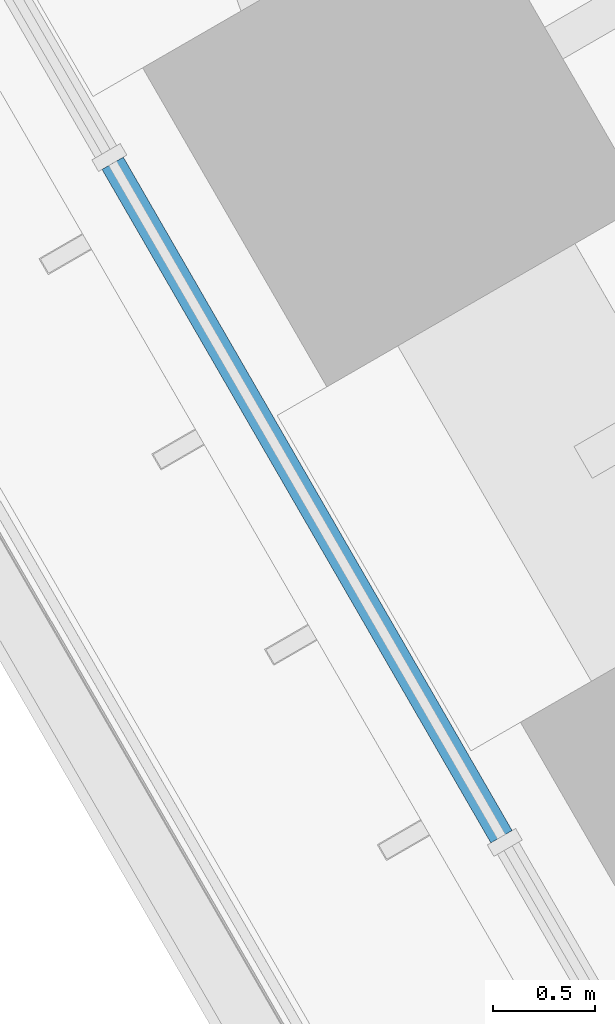
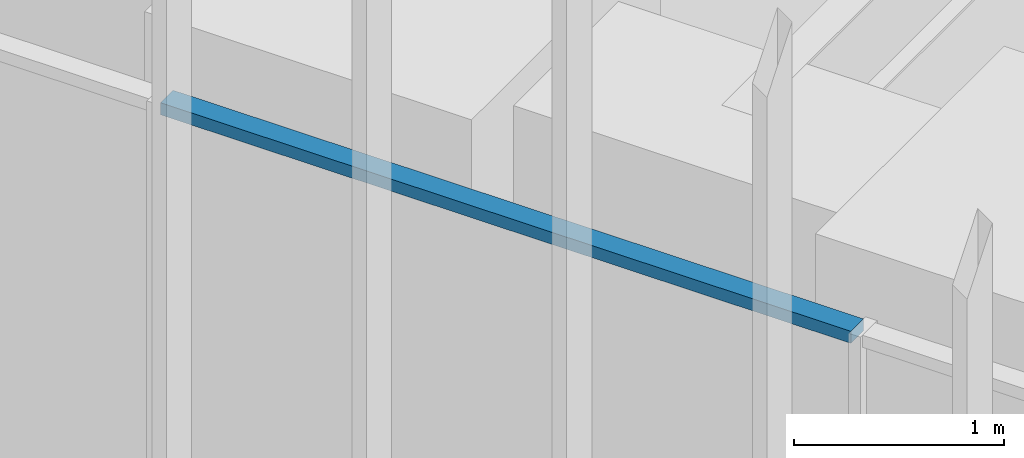
# One storey, part 60 of 228: 1 member, 1 element without a shape of its own.
"""IFC4 building model written with IfcOpenShell, lengths in metres."""

from ifc_helpers import new_model, si_unit, direction, frame, origin, origin_2d, place, context, subcontext, project, spatial, rectangle, extrude, material, material_profile, profile_set, type_object, element, aggregate, save


model = new_model("IFC4")

# Units and contexts
model_context = context("Model", 3, precision=1e-05, world=origin(), true_north=direction((0.0, 1.0)))
body_context = subcontext(model_context, "Body", "Model", "MODEL_VIEW")
ifc_project = project(units=[si_unit("LENGTHUNIT", "METRE"), si_unit("AREAUNIT", "SQUARE_METRE"), si_unit("VOLUMEUNIT", "CUBIC_METRE"), si_unit("PLANEANGLEUNIT", "RADIAN"), si_unit("MASSUNIT", "GRAM", prefix="KILO")], contexts=[model_context])

# Site, building, storey
site_placement = place(None, origin())
site = spatial("IfcSite", under=ifc_project, at=site_placement, CompositionType="ELEMENT")
building_placement = place(site_placement, origin())
building = spatial("IfcBuilding", under=site, at=building_placement, Name="Sandreach Pilgrim Tower", CompositionType="ELEMENT")
storey_placement = place(building_placement, frame((0.0, 0.0, 178.199951171875)))
storey = spatial("IfcBuildingStorey", under=building, at=storey_placement, Name="L44", CompositionType="ELEMENT", Elevation=178.199951171875)

# Curtain wall, member
ifc_material_1 = material(Name="Aluminium framed curtain wall", Category="aluminium")
curtain_wall_type = type_object("IfcCurtainWallType", Name="Upper hotel tower curtain wall", PredefinedType="NOTDEFINED", material=ifc_material_1)
curtain_wall_placement = place(storey_placement, origin())
curtain_wall = element("IfcCurtainWall", 1, at=curtain_wall_placement, inside=storey, type_object=curtain_wall_type, Name="CW-3 L44 SW", PredefinedType="NOTDEFINED")
ifc_material_2 = material(Name="Aluminium extrusion", Category="aluminium")
ifc_material_profile = material_profile(ifc_material_2, rectangle(XDim=0.1201171875, YDim=0.070068359375, at=origin_2d()), Name="CW-3T 120X70")
ifc_profile_set = profile_set([ifc_material_profile], Name="Aluminium extrusion")
member_type = type_object("IfcMemberType", Name="CW-3 transom", PredefinedType="USERDEFINED", material=ifc_profile_set)
member_placement = place(storey_placement, frame((-23.171875, -2.185302734375, 4.804931640625), z_axis=(-0.500022797313, 0.86601224135, 0.0), x_axis=(-0.86601224135, -0.500022797313, 0.0)))
member = element("IfcMember", 2, at=member_placement, type_object=member_type, Name="CW-3 head transom 8", ObjectType="TRANSOM", PredefinedType="USERDEFINED", context=body_context, shape_type="SweptSolid", body=[
    extrude(rectangle(XDim=0.1201171875, YDim=0.070068359375, at=origin_2d()), origin(), (0.0, 0.0, 1.0), 3.799560546875),
])
aggregate(curtain_wall, [member])

save(model, "model.ifc")
